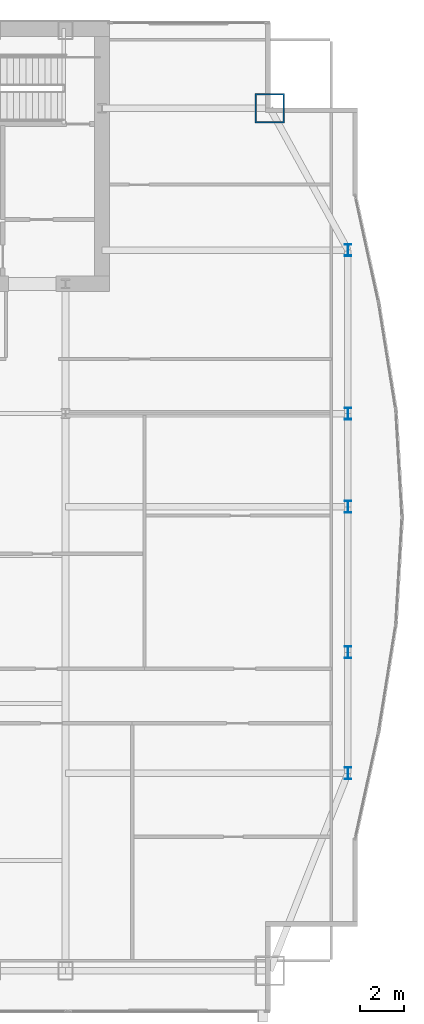
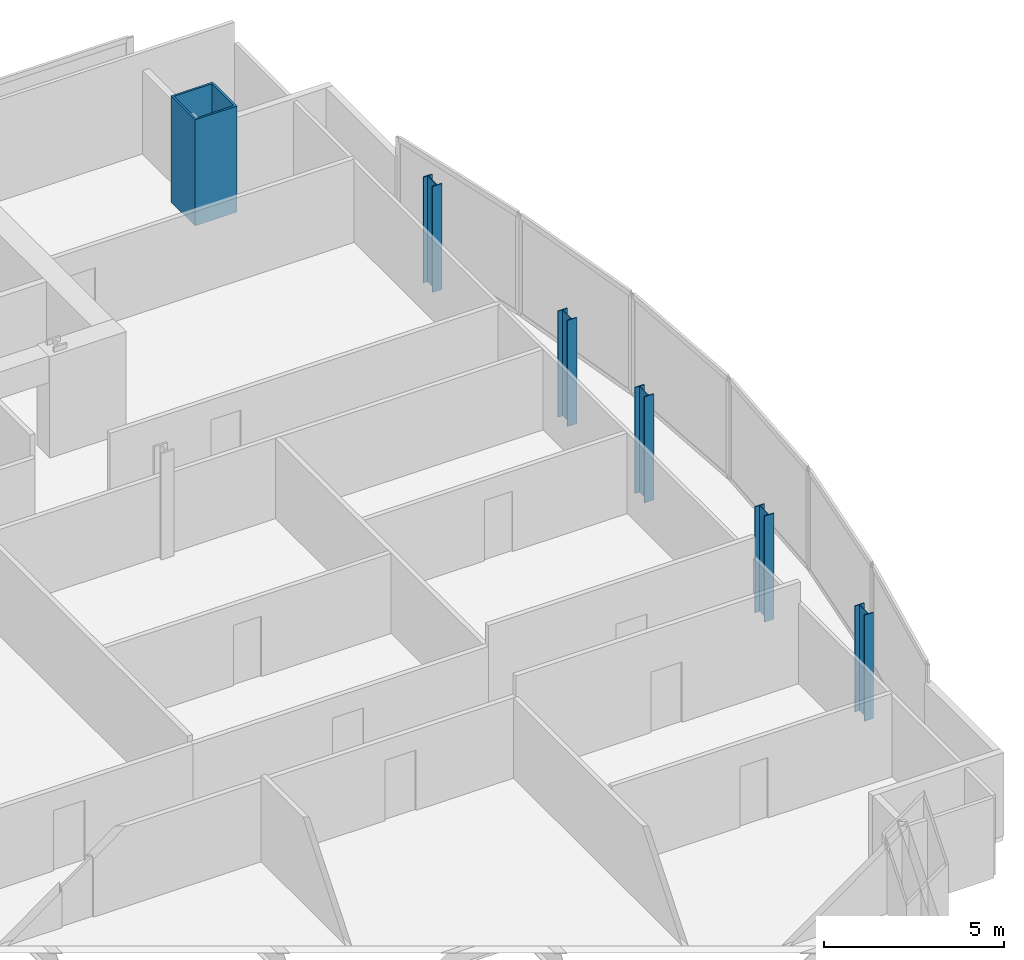
# One storey, part 4 of 29: 6 columns.
"""IFC4 building model written with IfcOpenShell, lengths in metres."""

from ifc_helpers import new_model, si_unit, direction, frame, origin, origin_2d, place, context, subcontext, project, spatial, hollow_rectangle, i_section, extrude, material, material_profile, profile_set, type_object, element, save


model = new_model("IFC4")

# Units and contexts
model_context = context("Model", 3, precision=1e-05, world=origin(), true_north=direction((0.0, 1.0)))
body_context = subcontext(model_context, "Body", "Model", "MODEL_VIEW")
ifc_project = project(units=[si_unit("LENGTHUNIT", "METRE"), si_unit("AREAUNIT", "SQUARE_METRE"), si_unit("VOLUMEUNIT", "CUBIC_METRE"), si_unit("PLANEANGLEUNIT", "RADIAN"), si_unit("MASSUNIT", "GRAM", prefix="KILO")], contexts=[model_context])

# Site, building, storey
site_placement = place(None, origin())
site = spatial("IfcSite", under=ifc_project, at=site_placement, CompositionType="ELEMENT")
building_placement = place(site_placement, origin())
building = spatial("IfcBuilding", under=site, at=building_placement, Name="Khoronbel Lancet Exchange", CompositionType="ELEMENT")
storey_placement = place(building_placement, frame((0.0, 0.0, 161.39990234375)))
storey = spatial("IfcBuildingStorey", under=building, at=storey_placement, Name="L40", CompositionType="ELEMENT", Elevation=161.39990234375)

# Columns
ifc_material_1 = material(Name="Steel S355", Category="steel")
ifc_material_profile_1 = material_profile(ifc_material_1, i_section(OverallWidth=0.300048828125, OverallDepth=0.550048828125, WebThickness=0.014892578125, FlangeThickness=0.029052734375, at=origin_2d()), Name="HEB 550")
ifc_profile_set_1 = profile_set([ifc_material_profile_1], Name="Steel S355")
column_type_1 = type_object("IfcColumnType", Name="COL-LC1", PredefinedType="COLUMN", material=ifc_profile_set_1)
for number, where, z_axis, x_axis, name in (
    (1, (67.6298828125, 19.199951171875, 0.0), (0.0, 0.0, 1.0), (1.0, 0.0, 0.0), "Structural column EC-1 L40"),
    (2, (67.6298828125, 24.75, 0.0), (0.0, 0.0, 1.0), (1.0, 0.0, 0.0), "Structural column EC-2 L40"),
    (3, (67.6298828125, 31.425048828125, 0.0), (0.0, 0.0, 1.0), (1.0, 0.0, 0.0), "Structural column EC-M L40"),
    (4, (67.6298828125, 35.699951171875, 0.0), (0.0, 0.0, 1.0), (1.0, 0.0, 0.0), "Structural column EC-3 L40"),
    (5, (67.6298828125, 43.199951171875, 0.0), (0.0, 0.0, 1.0), (1.0, 0.0, 0.0), "Structural column EC-4 L40"),
):
    element("IfcColumn", number, at=place(storey_placement, frame(where, z_axis=z_axis, x_axis=x_axis)), inside=storey, type_object=column_type_1, Name=name, PredefinedType="COLUMN", context=body_context, shape_type="SweptSolid", body=[
        extrude(i_section(OverallWidth=0.300048828125, OverallDepth=0.550048828125, WebThickness=0.014892578125, FlangeThickness=0.029052734375, at=origin_2d()), origin(), (0.0, 0.0, 1.0), 3.60009765625),
    ])
ifc_material_2 = material(Name="Steel S460", Category="steel")
ifc_material_profile_2 = material_profile(ifc_material_2, hollow_rectangle(XDim=1.35009765625, YDim=1.35009765625, WallThickness=0.06494140625, at=origin_2d()), Name="BOX 1350x1350x65")
ifc_profile_set_2 = profile_set([ifc_material_profile_2], Name="Steel S460")
column_type_2 = type_object("IfcColumnType", Name="COL-MC4", PredefinedType="COLUMN", material=ifc_profile_set_2)
column_placement = place(storey_placement, frame((64.050048828125, 49.699951171875, 0.0), z_axis=(0.0, 0.0, 1.0), x_axis=(1.0, 0.0, 0.0)))
element("IfcColumn", 6, at=column_placement, inside=storey, type_object=column_type_2, Name="Structural column MC-NE L40", PredefinedType="COLUMN", context=body_context, shape_type="SweptSolid", body=[
    extrude(hollow_rectangle(XDim=1.35009765625, YDim=1.35009765625, WallThickness=0.06494140625, at=origin_2d()), origin(), (0.0, 0.0, 1.0), 3.60009765625),
])

save(model, "model.ifc")
